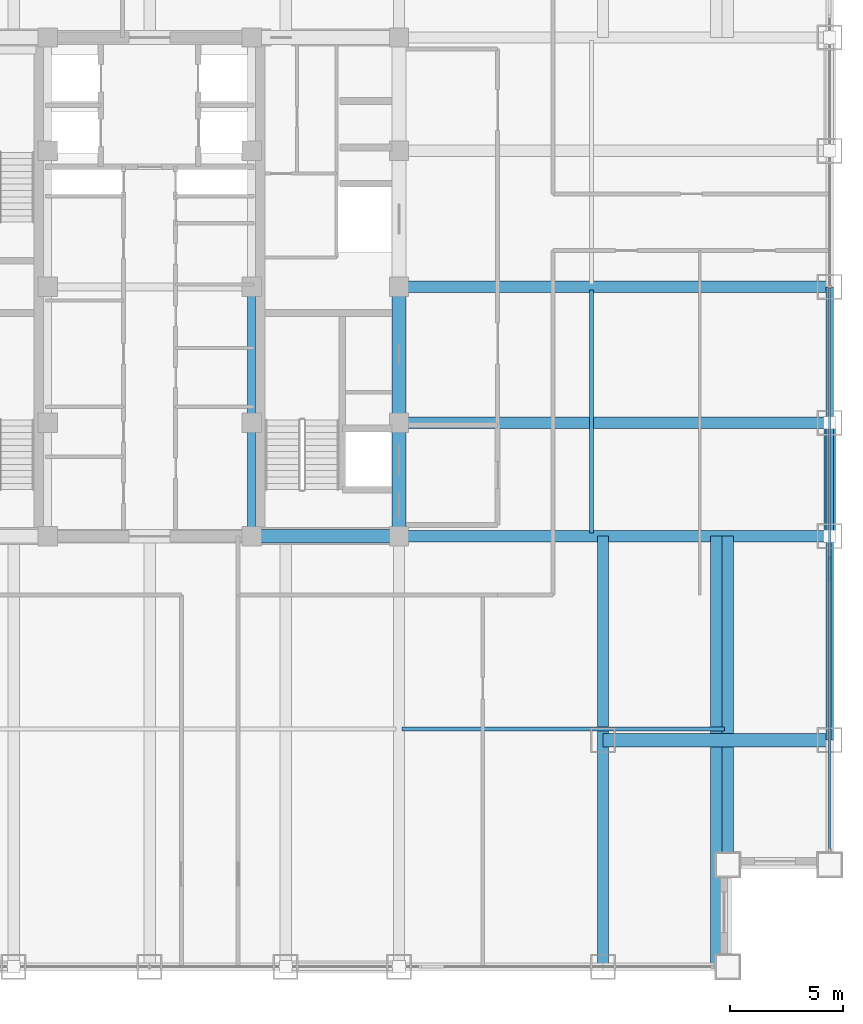
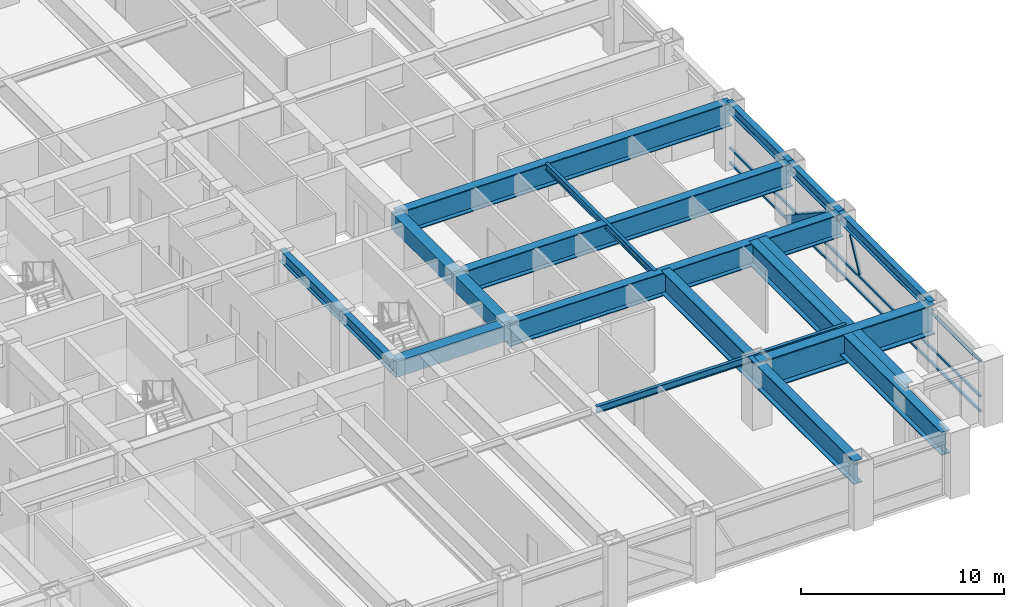
# One storey, part 9 of 26: 17 beams, 5 members, 1 element without a shape of its own.
"""IFC4 building model written with IfcOpenShell, lengths in metres."""

import ifcopenshell
import ifcopenshell.guid

model = None  # the IFC model being written
_history = None  # IfcOwnerHistory: only IFC2X3 demands one
_inside = {}  # id of a spatial element -> (the spatial element, [elements in it])
_under = {}  # id of a project, library or spatial element -> (it, [spatial elements below it])
_declared = {}  # id of a project -> (the project, [libraries it declares])
_typed = {}  # id of a type object -> (the type object, [elements of that type])
_made_of = {}  # id of a material, layer set ... -> (it, [elements and type objects made of it])


def new_model(schema):
    """Start an empty IFC model of exactly this schema.

    Asked for "IFC4X3", IfcOpenShell would pick the latest addendum, in which some entities
    have other attributes; the version numbers below select the first issue.
    IFC2X3 requires an IfcOwnerHistory on every rooted entity: one is made here for all.
    """
    global model, _history
    if schema == "IFC4X3":
        model = ifcopenshell.file(schema_version=(4, 3, 0, 0))
    else:
        model = ifcopenshell.file(schema=schema)
    _inside.clear()
    _under.clear()
    _declared.clear()
    _typed.clear()
    _made_of.clear()
    _history = None
    if model.schema == "IFC2X3":
        org = make("IfcOrganization", Name="unknown")
        user = make(
            "IfcPersonAndOrganization",
            ThePerson=make("IfcPerson", FamilyName="unknown"),
            TheOrganization=org,
        )
        app = make(
            "IfcApplication",
            ApplicationDeveloper=org,
            Version="unknown",
            ApplicationFullName="unknown",
            ApplicationIdentifier="unknown",
        )
        _history = make(
            "IfcOwnerHistory",
            OwningUser=user,
            OwningApplication=app,
            ChangeAction="ADDED",
            CreationDate=0,
        )
    return model


def make(cls, **values):
    """One entity of the class cls with the attributes given. An attribute that is None is left unset."""
    return model.create_entity(
        cls, **{name: value for name, value in values.items() if value is not None}
    )


def rooted(cls, **values):
    """An entity with a GlobalId (a new one), such as an element, a storey or a relation."""
    return make(cls, GlobalId=ifcopenshell.guid.new(), OwnerHistory=_history, **values)


def si_unit(unit_type, name, prefix=None):
    """IfcSIUnit, for example si_unit("LENGTHUNIT", "METRE", prefix="MILLI")."""
    return make("IfcSIUnit", UnitType=unit_type, Prefix=prefix, Name=name)


def assignment(units):
    """IfcUnitAssignment: the units of a project."""
    return None if units is None else make("IfcUnitAssignment", Units=units)


def point(xyz):
    """IfcCartesianPoint."""
    return None if xyz is None else make("IfcCartesianPoint", Coordinates=xyz)


def direction(xyz):
    """IfcDirection."""
    return None if xyz is None else make("IfcDirection", DirectionRatios=xyz)


def frame(location, z_axis=None, x_axis=None):
    """IfcAxis2Placement3D, a coordinate frame: its origin and axes. An axis left out is left unset."""
    return make(
        "IfcAxis2Placement3D",
        Location=point(location),
        Axis=direction(z_axis),
        RefDirection=direction(x_axis),
    )


def frame_2d(location, x_axis=None):
    """IfcAxis2Placement2D, a coordinate frame in the plane: its origin and x axis."""
    return make(
        "IfcAxis2Placement2D", Location=point(location), RefDirection=direction(x_axis)
    )


def origin():
    """The frame at (0, 0, 0) with its axes left unset."""
    return frame((0.0, 0.0, 0.0))


def origin_2d():
    """The frame at (0, 0) in the plane with its x axis left unset."""
    return frame_2d((0.0, 0.0))


def place(relative_to, where):
    """IfcLocalPlacement: puts the frame where relative to a parent placement (None: the world)."""
    return make(
        "IfcLocalPlacement", PlacementRelTo=relative_to, RelativePlacement=where
    )


def context(
    kind, dimensions, precision=None, world=None, true_north=None, identifier=None
):
    """IfcGeometricRepresentationContext, for example the 3D "Model" context."""
    return make(
        "IfcGeometricRepresentationContext",
        ContextIdentifier=identifier,
        ContextType=kind,
        CoordinateSpaceDimension=dimensions,
        Precision=precision,
        WorldCoordinateSystem=world,
        TrueNorth=true_north,
    )


def subcontext(parent, identifier, kind, view, scale=None):
    """IfcGeometricRepresentationSubContext, for example "Body" below "Model"."""
    return make(
        "IfcGeometricRepresentationSubContext",
        ContextIdentifier=identifier,
        ContextType=kind,
        ParentContext=parent,
        TargetScale=scale,
        TargetView=view,
    )


def project(units=None, contexts=None):
    """IfcProject with its units and contexts."""
    return rooted(
        "IfcProject",
        Name="project",
        RepresentationContexts=contexts,
        UnitsInContext=assignment(units),
    )


def spatial(cls, under=None, at=None, **own):
    """A site, building, storey or space (cls), placed at a placement, below another one or the project."""
    s = rooted(cls, ObjectPlacement=at, **own)
    if under is not None:
        _under.setdefault(under.id(), (under, []))[1].append(s)
    return s


def profile(cls, at=None, kind="AREA", **sizes):
    """A parametric profile (cls). Its sizes go by their IFC names, for example OverallWidth=200.0."""
    return make(cls, ProfileType=kind, Position=at, **sizes)


def rectangle(**sizes):
    """IfcRectangleProfileDef."""
    return profile("IfcRectangleProfileDef", **sizes)


def hollow_rectangle(**sizes):
    """IfcRectangleHollowProfileDef."""
    return profile("IfcRectangleHollowProfileDef", **sizes)


def i_section(**sizes):
    """IfcIShapeProfileDef."""
    return profile("IfcIShapeProfileDef", **sizes)


def extrude(swept, where, along, depth):
    """IfcExtrudedAreaSolid: the profile swept, set in the frame where, extruded along a direction by depth."""
    return make(
        "IfcExtrudedAreaSolid",
        SweptArea=swept,
        Position=where,
        ExtrudedDirection=direction(along),
        Depth=depth,
    )


def shape(context_of_items, identifier, shape_type, items):
    """IfcShapeRepresentation: the items that make up one representation, for example the "Body"."""
    return make(
        "IfcShapeRepresentation",
        ContextOfItems=context_of_items,
        RepresentationIdentifier=identifier,
        RepresentationType=shape_type,
        Items=items,
    )


def source(mapping_origin, context_of_items, identifier, shape_type, items):
    """IfcRepresentationMap: a shape defined once, which mapped items show again and again."""
    return make(
        "IfcRepresentationMap",
        MappingOrigin=mapping_origin,
        MappedRepresentation=shape(context_of_items, identifier, shape_type, items),
    )


def transform(
    local_origin,
    x_axis=None,
    y_axis=None,
    z_axis=None,
    scale=None,
    scale2=None,
    scale3=None,
    uniform=True,
):
    """IfcCartesianTransformationOperator3D, or its non-uniform kind. x_axis, y_axis, z_axis: its Axis1, 2, 3."""
    if uniform:
        return make(
            "IfcCartesianTransformationOperator3D",
            Axis1=direction(x_axis),
            Axis2=direction(y_axis),
            LocalOrigin=point(local_origin),
            Scale=scale,
            Axis3=direction(z_axis),
        )
    return make(
        "IfcCartesianTransformationOperator3DnonUniform",
        Axis1=direction(x_axis),
        Axis2=direction(y_axis),
        LocalOrigin=point(local_origin),
        Scale=scale,
        Axis3=direction(z_axis),
        Scale2=scale2,
        Scale3=scale3,
    )


def mapped(mapping_source, mapping_target):
    """IfcMappedItem: shows the shape of a source again, moved by a transform."""
    return make(
        "IfcMappedItem", MappingSource=mapping_source, MappingTarget=mapping_target
    )


def material(Name=None, Category=None):
    """IfcMaterial."""
    return make("IfcMaterial", Name=Name, Category=Category)


def material_profile(
    of_material, cross_section, Name=None, Category=None, Priority=None
):
    """IfcMaterialProfile: a cross section and its material."""
    return make(
        "IfcMaterialProfile",
        Name=Name,
        Material=of_material,
        Profile=cross_section,
        Priority=Priority,
        Category=Category,
    )


def profile_set(profiles, Name=None, composite=None):
    """IfcMaterialProfileSet."""
    return make(
        "IfcMaterialProfileSet",
        Name=Name,
        MaterialProfiles=profiles,
        CompositeProfile=composite,
    )


def made_of(thing, what):
    """Note that an element or type object is made of a material, layer set ...; save() writes the relation."""
    if what is not None:
        _made_of.setdefault(what.id(), (what, []))[1].append(thing)
    return thing


def type_object(cls, material=None, **own):
    """A type object (cls), such as IfcWallType, which elements share."""
    return made_of(rooted(cls, **own), material)


def element(
    cls,
    number,
    at=None,
    inside=None,
    cuts=None,
    type_object=None,
    material=None,
    context=None,
    identifier="Body",
    shape_type=None,
    held_by="IfcProductDefinitionShape",
    body=None,
    shapes=None,
    **own,
):
    """One element of the class cls, such as IfcWall. Its Tag is "e" and its number.

    at: its placement. inside: the storey or other place that contains it. cuts: it is an
    opening in that element (IfcRelVoidsElement). A single representation is given by context,
    identifier, shape_type and body (its items); several are given by shapes. held_by: the class
    of the entity that holds the representations. save() writes the other relations.
    """
    e = rooted(cls, Tag="e%d" % number, ObjectPlacement=at, **own)
    if body is not None:
        shapes = [shape(context, identifier, shape_type, body)]
    if shapes is not None:
        e.Representation = make(held_by, Representations=shapes)
    if inside is not None:
        _inside.setdefault(inside.id(), (inside, []))[1].append(e)
    if cuts is not None:
        rooted(
            "IfcRelVoidsElement", RelatingBuildingElement=cuts, RelatedOpeningElement=e
        )
    if type_object is not None:
        _typed.setdefault(type_object.id(), (type_object, []))[1].append(e)
    return made_of(e, material)


def aggregate(whole, parts):
    """IfcRelAggregates: a whole, such as a stair, and the parts it consists of."""
    return rooted("IfcRelAggregates", RelatingObject=whole, RelatedObjects=parts)


def save(model, path):
    """Write the relations noted so far, then the file.

    IfcRelAggregates (storeys below a building ...), IfcRelContainedInSpatialStructure (elements
    in a storey), IfcRelDefinesByType, IfcRelAssociatesMaterial and IfcRelDeclares: one each for
    every whole, place, type object, material and project.
    """
    for whole, parts in _under.values():
        aggregate(whole, parts)
    for where, things in _inside.values():
        rooted(
            "IfcRelContainedInSpatialStructure",
            RelatedElements=things,
            RelatingStructure=where,
        )
    for kind, things in _typed.values():
        rooted("IfcRelDefinesByType", RelatedObjects=things, RelatingType=kind)
    for what, things in _made_of.values():
        rooted("IfcRelAssociatesMaterial", RelatedObjects=things, RelatingMaterial=what)
    for by, libraries in _declared.values():
        rooted("IfcRelDeclares", RelatingContext=by, RelatedDefinitions=libraries)
    model.write(path)


model = new_model("IFC4")

# Units and contexts
model_context = context("Model", 3, precision=1e-05, world=origin(), true_north=direction((0.0, 1.0)))
body_context = subcontext(model_context, "Body", "Model", "MODEL_VIEW")
ifc_project = project(units=[si_unit("LENGTHUNIT", "METRE"), si_unit("AREAUNIT", "SQUARE_METRE"), si_unit("VOLUMEUNIT", "CUBIC_METRE"), si_unit("PLANEANGLEUNIT", "RADIAN"), si_unit("MASSUNIT", "GRAM", prefix="KILO")], contexts=[model_context])

# Site, building, storey
site_placement = place(None, origin())
site = spatial("IfcSite", under=ifc_project, at=site_placement, CompositionType="ELEMENT")
building_placement = place(site_placement, origin())
building = spatial("IfcBuilding", under=site, at=building_placement, Name="Khorayat Bourse Tower", CompositionType="ELEMENT")
storey_placement = place(building_placement, frame((0.0, 0.0, 207.10009765625)))
storey = spatial("IfcBuildingStorey", under=building, at=storey_placement, Name="L48", CompositionType="ELEMENT", Elevation=207.10009765625)

# Beams
ifc_material_1 = material(Name="Steel ASTM A992 Grade 50", Category="steel")
ifc_material_profile_1 = material_profile(ifc_material_1, i_section(OverallWidth=0.35498046875, OverallDepth=0.695068359375, WebThickness=0.015380859375, FlangeThickness=0.02490234375, FilletRadius=0.01806640625, at=origin_2d()), Name="W690X217")
ifc_profile_set_1 = profile_set([ifc_material_profile_1], Name="Steel ASTM A992 Grade 50")
beam_type_1 = type_object("IfcBeamType", Name="BM-GIRD-690", PredefinedType="BEAM", material=ifc_profile_set_1)
shared_shape_1 = source(origin(), body_context, "Body", "SweptSolid", [
    extrude(i_section(OverallWidth=0.35498046875, OverallDepth=0.695068359375, WebThickness=0.015380859375, FlangeThickness=0.02490234375, FilletRadius=0.01806640625, at=origin_2d()), origin(), (0.0, 0.0, 1.0), 5.0),
])
beam_1_placement = place(storey_placement, frame((4.5, -11.0, 3.432373046875), z_axis=(0.0, 1.0, 0.0), x_axis=(-1.0, 0.0, 0.0)))
element("IfcBeam", 1, at=beam_1_placement, inside=storey, type_object=beam_type_1, Name="L48 BM-GIRD-690 BM-L48-CRX-09", PredefinedType="BEAM", context=body_context, shape_type="MappedRepresentation", body=[
    mapped(shared_shape_1, transform((0.0, 0.0, 0.0), scale=1.0)),
])
shared_shape_2 = source(origin(), body_context, "Body", "SweptSolid", [
    extrude(i_section(OverallWidth=0.35498046875, OverallDepth=0.695068359375, WebThickness=0.015380859375, FlangeThickness=0.02490234375, FilletRadius=0.01806640625, at=origin_2d()), origin(), (0.0, 0.0, 1.0), 6.0),
])
beam_2_placement = place(storey_placement, frame((4.5, -6.0, 3.432373046875), z_axis=(0.0, 1.0, 0.0), x_axis=(-1.0, 0.0, 0.0)))
element("IfcBeam", 2, at=beam_2_placement, inside=storey, type_object=beam_type_1, Name="L48 BM-GIRD-690 BM-L48-CRX-10", PredefinedType="BEAM", context=body_context, shape_type="MappedRepresentation", body=[
    mapped(shared_shape_2, transform((0.0, 0.0, 0.0), scale=1.0)),
])
ifc_material_2 = material(Name="Steel EN 10025-4 S460M", Category="steel")
ifc_material_profile_2 = material_profile(ifc_material_2, i_section(OverallWidth=0.60009765625, OverallDepth=1.800048828125, WebThickness=0.031982421875, FlangeThickness=0.06005859375, at=origin_2d()), Name="PG 1800x600x32x60")
ifc_profile_set_2 = profile_set([ifc_material_profile_2], Name="Steel EN 10025-4 S460M")
beam_type_2 = type_object("IfcBeamType", Name="BM-TR-1800", PredefinedType="BEAM", material=ifc_profile_set_2)
shared_shape_3 = source(origin(), body_context, "Body", "SweptSolid", [
    extrude(i_section(OverallWidth=0.60009765625, OverallDepth=1.800048828125, WebThickness=0.031982421875, FlangeThickness=0.06005859375, at=origin_2d()), origin(), (0.0, 0.0, 1.0), 10.0),
])
beam_3_placement = place(storey_placement, frame((20.0, -20.0, 2.8798828125), z_axis=(1.0, 0.0, 0.0), x_axis=(0.0, 1.0, 0.0)))
element("IfcBeam", 3, at=beam_3_placement, inside=storey, type_object=beam_type_2, Name="L48 BM-TR-1800 BM-L48-CNRX-096", PredefinedType="BEAM", context=body_context, shape_type="MappedRepresentation", body=[
    mapped(shared_shape_3, transform((0.0, 0.0, 0.0), scale=1.0)),
])
ifc_material_profile_3 = material_profile(ifc_material_1, i_section(OverallWidth=0.180908203125, OverallDepth=0.4169921875, WebThickness=0.010986328125, FlangeThickness=0.018310546875, FilletRadius=0.011962890625, at=origin_2d()), Name="W410X85")
ifc_profile_set_3 = profile_set([ifc_material_profile_3], Name="Steel ASTM A992 Grade 50")
beam_type_3 = type_object("IfcBeamType", Name="BM-JOIST-410", PredefinedType="JOIST", material=ifc_profile_set_3)
shared_shape_4 = source(origin(), body_context, "Body", "SweptSolid", [
    extrude(i_section(OverallWidth=0.180908203125, OverallDepth=0.4169921875, WebThickness=0.010986328125, FlangeThickness=0.018310546875, FilletRadius=0.011962890625, at=origin_2d()), origin(), (0.0, 0.0, 1.0), 14.240234375),
])
beam_4_placement = place(storey_placement, frame((11.1298828125, -19.5, 3.5712890625), z_axis=(1.0, 0.0, 0.0), x_axis=(0.0, 1.0, 0.0)))
element("IfcBeam", 4, at=beam_4_placement, inside=storey, type_object=beam_type_3, Name="L48 BM-JOIST-410 BM-L48-JSTX-106", PredefinedType="JOIST", context=body_context, shape_type="MappedRepresentation", body=[
    mapped(shared_shape_4, transform((0.0, 0.0, 0.0), scale=1.0)),
])
shared_shape_5 = source(origin(), body_context, "Body", "SweptSolid", [
    extrude(i_section(OverallWidth=0.180908203125, OverallDepth=0.4169921875, WebThickness=0.010986328125, FlangeThickness=0.018310546875, FilletRadius=0.011962890625, at=origin_2d()), origin(), (0.0, 0.0, 1.0), 10.740234375),
])
beam_5_placement = place(storey_placement, frame((19.5, -10.8701171875, 3.5712890625), z_axis=(0.0, 1.0, 0.0), x_axis=(-1.0, 0.0, 0.0)))
element("IfcBeam", 5, at=beam_5_placement, inside=storey, type_object=beam_type_3, Name="L48 BM-JOIST-410 BM-L48-JSTY-112", PredefinedType="JOIST", context=body_context, shape_type="MappedRepresentation", body=[
    mapped(shared_shape_5, transform((0.0, 0.0, 0.0), scale=1.0)),
])
ifc_material_profile_4 = material_profile(ifc_material_1, i_section(OverallWidth=0.324951171875, OverallDepth=0.615966796875, WebThickness=0.013916015625, FlangeThickness=0.021484375, FilletRadius=0.01611328125, at=origin_2d()), Name="W610X174")
ifc_profile_set_4 = profile_set([ifc_material_profile_4], Name="Steel ASTM A992 Grade 50")
beam_type_4 = type_object("IfcBeamType", Name="BM-SPAN-610", PredefinedType="SPANDREL", material=ifc_profile_set_4)
shared_shape_6 = source(origin(), body_context, "Body", "SweptSolid", [
    extrude(i_section(OverallWidth=0.324951171875, OverallDepth=0.615966796875, WebThickness=0.013916015625, FlangeThickness=0.021484375, FilletRadius=0.01611328125, at=origin_2d()), origin(), (0.0, 0.0, 1.0), 9.0),
])
beam_6_placement = place(storey_placement, frame((30.0, -20.0, 3.471923828125), z_axis=(0.0, 1.0, 0.0), x_axis=(-1.0, 0.0, 0.0)))
element("IfcBeam", 6, at=beam_6_placement, inside=storey, type_object=beam_type_4, Name="L48 BM-SPAN-610 BM-L48-SPN-035", PredefinedType="SPANDREL", context=body_context, shape_type="MappedRepresentation", body=[
    mapped(shared_shape_6, transform((0.0, 0.0, 0.0), scale=1.0)),
])
shared_shape_7 = source(origin(), body_context, "Body", "SweptSolid", [
    extrude(i_section(OverallWidth=0.324951171875, OverallDepth=0.615966796875, WebThickness=0.013916015625, FlangeThickness=0.021484375, FilletRadius=0.01611328125, at=origin_2d()), origin(), (0.0, 0.0, 1.0), 5.0),
])
beam_7_placement = place(storey_placement, frame((30.0, -11.0, 3.471923828125), z_axis=(0.0, 1.0, 0.0), x_axis=(-1.0, 0.0, 0.0)))
element("IfcBeam", 7, at=beam_7_placement, inside=storey, type_object=beam_type_4, Name="L48 BM-SPAN-610 BM-L48-SPN-036", PredefinedType="SPANDREL", context=body_context, shape_type="MappedRepresentation", body=[
    mapped(shared_shape_7, transform((0.0, 0.0, 0.0), scale=1.0)),
])
shared_shape_8 = source(origin(), body_context, "Body", "SweptSolid", [
    extrude(i_section(OverallWidth=0.324951171875, OverallDepth=0.615966796875, WebThickness=0.013916015625, FlangeThickness=0.021484375, FilletRadius=0.01611328125, at=origin_2d()), origin(), (0.0, 0.0, 1.0), 6.0),
])
beam_8_placement = place(storey_placement, frame((30.0, -6.0, 3.471923828125), z_axis=(0.0, 1.0, 0.0), x_axis=(-1.0, 0.0, 0.0)))
element("IfcBeam", 8, at=beam_8_placement, inside=storey, type_object=beam_type_4, Name="L48 BM-SPAN-610 BM-L48-SPN-037", PredefinedType="SPANDREL", context=body_context, shape_type="MappedRepresentation", body=[
    mapped(shared_shape_8, transform((0.0, 0.0, 0.0), scale=1.0)),
])

# Member
ifc_material_profile_5 = material_profile(ifc_material_2, hollow_rectangle(XDim=0.5, YDim=0.5, WallThickness=0.028076171875, at=origin_2d()), Name="HSS 500x500x28")
ifc_profile_set_5 = profile_set([ifc_material_profile_5], Name="Steel EN 10025-4 S460M")
member_type_1 = type_object("IfcMemberType", Name="MBR-TUBE-500", PredefinedType="BRACE", material=ifc_profile_set_5)
shared_shape_9 = source(origin(), body_context, "Body", "SweptSolid", [
    extrude(hollow_rectangle(XDim=0.5, YDim=0.5, WallThickness=0.028076171875, at=origin_2d()), origin(), (0.0, 0.0, 1.0), 5.979736328125),
])
member_1_placement = place(storey_placement, frame((30.0, -11.0, 3.52978515625), z_axis=(0.0, 0.836160261256, -0.548485202623), x_axis=(-1.0, 0.0, 0.0)))
element("IfcMember", 9, at=member_1_placement, inside=storey, type_object=member_type_1, Name="L48 Perimeter Tube Brace 07", PredefinedType="BRACE", context=body_context, shape_type="MappedRepresentation", body=[
    mapped(shared_shape_9, transform((0.0, 0.0, 0.0), scale=1.0)),
])

# Beams
ifc_material_3 = material(Name="Concrete C60/75", Category="concrete")
ifc_material_profile_6 = material_profile(ifc_material_3, rectangle(XDim=0.60009765625, YDim=0.949951171875, at=origin_2d()), Name="RC 600x950")
ifc_profile_set_6 = profile_set([ifc_material_profile_6], Name="Concrete C60/75")
beam_type_5 = type_object("IfcBeamType", Name="BM-COUP-950", PredefinedType="BEAM", material=ifc_profile_set_6)
shared_shape_10 = source(origin(), body_context, "Body", "SweptSolid", [
    extrude(rectangle(XDim=0.60009765625, YDim=0.949951171875, at=origin_2d()), origin(), (0.0, 0.0, 1.0), 5.0),
])
beam_9_placement = place(storey_placement, frame((11.0, -11.0, 3.304931640625), z_axis=(0.0, 1.0, 0.0), x_axis=(-1.0, 0.0, 0.0)))
element("IfcBeam", 10, at=beam_9_placement, inside=storey, type_object=beam_type_5, Name="L48 BM-COUP-950 BM-L48-CRX-13", PredefinedType="BEAM", context=body_context, shape_type="MappedRepresentation", body=[
    mapped(shared_shape_10, transform((0.0, 0.0, 0.0), scale=1.0)),
])
shared_shape_11 = source(origin(), body_context, "Body", "SweptSolid", [
    extrude(rectangle(XDim=0.60009765625, YDim=0.949951171875, at=origin_2d()), origin(), (0.0, 0.0, 1.0), 6.0),
])
beam_10_placement = place(storey_placement, frame((11.0, -6.0, 3.304931640625), z_axis=(0.0, 1.0, 0.0), x_axis=(-1.0, 0.0, 0.0)))
element("IfcBeam", 11, at=beam_10_placement, inside=storey, type_object=beam_type_5, Name="L48 BM-COUP-950 BM-L48-CRX-14", PredefinedType="BEAM", context=body_context, shape_type="MappedRepresentation", body=[
    mapped(shared_shape_11, transform((0.0, 0.0, 0.0), scale=1.0)),
])
shared_shape_12 = source(origin(), body_context, "Body", "SweptSolid", [
    extrude(rectangle(XDim=0.60009765625, YDim=0.949951171875, at=origin_2d()), origin(), (0.0, 0.0, 1.0), 6.5),
])
beam_11_placement = place(storey_placement, frame((4.5, -11.0, 3.304931640625), z_axis=(1.0, 0.0, 0.0), x_axis=(0.0, 1.0, 0.0)))
element("IfcBeam", 12, at=beam_11_placement, inside=storey, type_object=beam_type_5, Name="L48 BM-COUP-950 BM-L48-CRY-19", PredefinedType="BEAM", context=body_context, shape_type="MappedRepresentation", body=[
    mapped(shared_shape_12, transform((0.0, 0.0, 0.0), scale=1.0)),
])
ifc_material_profile_7 = material_profile(ifc_material_2, i_section(OverallWidth=0.5, OverallDepth=1.39990234375, WebThickness=0.02490234375, FlangeThickness=0.050048828125, at=origin_2d()), Name="PG 1400x500x25x50")
ifc_profile_set_7 = profile_set([ifc_material_profile_7], Name="Steel EN 10025-4 S460M")
beam_type_6 = type_object("IfcBeamType", Name="BM-TR-1400", PredefinedType="BEAM", material=ifc_profile_set_7)
shared_shape_13 = source(origin(), body_context, "Body", "SweptSolid", [
    extrude(i_section(OverallWidth=0.5, OverallDepth=1.39990234375, WebThickness=0.02490234375, FlangeThickness=0.050048828125, at=origin_2d()), origin(), (0.0, 0.0, 1.0), 19.0),
])
for number, where, z_axis, x_axis, name in (
    (13, (11.0, -11.0, 3.079833984375), (1.0, 0.0, 0.0), (0.0, 1.0, 0.0), "L48 BM-TR-1400 BM-L48-RADX-074"),
    (14, (11.0, -6.0, 3.079833984375), (1.0, 0.0, 0.0), (0.0, 1.0, 0.0), "L48 BM-TR-1400 BM-L48-RADX-076"),
    (15, (11.0, 0.0, 3.079833984375), (1.0, 0.0, 0.0), (0.0, 1.0, 0.0), "L48 BM-TR-1400 BM-L48-RADX-078"),
    (16, (20.0, -30.0, 3.079833984375), (0.0, 1.0, 0.0), (-1.0, 0.0, 0.0), "L48 BM-TR-1400 BM-L48-CNRY-086"),
    (17, (25.0, -30.0, 3.079833984375), (0.0, 1.0, 0.0), (-1.0, 0.0, 0.0), "L48 BM-TR-1400 BM-L48-CNRY-090"),
):
    element("IfcBeam", number, at=place(storey_placement, frame(where, z_axis=z_axis, x_axis=x_axis)), inside=storey, type_object=beam_type_6, Name=name, PredefinedType="BEAM", context=body_context, shape_type="MappedRepresentation", body=[
        mapped(shared_shape_13, transform((0.0, 0.0, 0.0), scale=1.0)),
    ])
shared_shape_14 = source(origin(), body_context, "Body", "SweptSolid", [
    extrude(i_section(OverallWidth=0.5, OverallDepth=1.39990234375, WebThickness=0.02490234375, FlangeThickness=0.050048828125, at=origin_2d()), origin(), (0.0, 0.0, 1.0), 14.5),
])
beam_12_placement = place(storey_placement, frame((25.5, -25.5, 3.079833984375), z_axis=(0.0, 1.0, 0.0), x_axis=(-1.0, 0.0, 0.0)))
element("IfcBeam", 18, at=beam_12_placement, inside=storey, type_object=beam_type_6, Name="L48 BM-TR-1400 BM-L48-CNRY-094", PredefinedType="BEAM", context=body_context, shape_type="MappedRepresentation", body=[
    mapped(shared_shape_14, transform((0.0, 0.0, 0.0), scale=1.0)),
])

# Curtain wall, members
ifc_material_4 = material(Name="Aluminium EN AW-6063 T6", Category="aluminium")
curtain_wall_type = type_object("IfcCurtainWallType", Name="CW-SYS-03", PredefinedType="NOTDEFINED", material=ifc_material_4)
curtain_wall_placement = place(storey_placement, origin())
curtain_wall = element("IfcCurtainWall", 19, at=curtain_wall_placement, inside=storey, type_object=curtain_wall_type, Name="L48 Curtain Wall CW-L48-E1", PredefinedType="NOTDEFINED")
ifc_material_profile_8 = material_profile(ifc_material_4, hollow_rectangle(XDim=0.1201171875, YDim=0.1201171875, WallThickness=0.0048828125, at=origin_2d()), Name="ALU 120x120x5")
ifc_profile_set_8 = profile_set([ifc_material_profile_8], Name="Aluminium EN AW-6063 T6")
member_type_2 = type_object("IfcMemberType", Name="CWM-DIAG-120", PredefinedType="MULLION", material=ifc_profile_set_8)
shared_shape_15 = source(origin(), body_context, "Body", "SweptSolid", [
    extrude(hollow_rectangle(XDim=0.1201171875, YDim=0.1201171875, WallThickness=0.0048828125, at=origin_2d()), origin(), (0.0, 0.0, 1.0), 2.079345703125),
])
member_2_placement = place(storey_placement, frame((30.0, -12.904296875, 1.08984375), z_axis=(0.0, 0.465760949701, 0.884910581773), x_axis=(-1.0, 0.0, 0.0)))
member_2 = element("IfcMember", 20, at=member_2_placement, type_object=member_type_2, Name="CW-L48-E1 Faceted Diagonal Mullion 1", PredefinedType="MULLION", context=body_context, shape_type="MappedRepresentation", body=[
    mapped(shared_shape_15, transform((0.0, 0.0, 0.0), scale=1.0)),
])
ifc_material_profile_9 = material_profile(ifc_material_4, hollow_rectangle(XDim=0.1201171875, YDim=0.1201171875, WallThickness=0.0048828125, at=origin_2d()), Name="ALU 120x120x5")
ifc_profile_set_9 = profile_set([ifc_material_profile_9], Name="Aluminium EN AW-6063 T6")
member_type_3 = type_object("IfcMemberType", Name="CWT-HORZ-120", PredefinedType="USERDEFINED", material=ifc_profile_set_9)
shared_shape_16 = source(origin(), body_context, "Body", "SweptSolid", [
    extrude(hollow_rectangle(XDim=0.1201171875, YDim=0.1201171875, WallThickness=0.0048828125, at=origin_2d()), origin(), (0.0, 0.0, 1.0), 24.719970703125),
])
member_3_placement = place(storey_placement, frame((30.0, -24.780029296875, 0.059814453125), z_axis=(0.0, 1.0, 0.0), x_axis=(-1.0, 0.0, 0.0)))
member_3 = element("IfcMember", 21, at=member_3_placement, type_object=member_type_3, Name="CW-L48-E1 Horizontal Transom 1-1", ObjectType="TRANSOM", PredefinedType="USERDEFINED", context=body_context, shape_type="MappedRepresentation", body=[
    mapped(shared_shape_16, transform((0.0, 0.0, 0.0), scale=1.0)),
])
member_4_placement = place(storey_placement, frame((30.0, -24.780029296875, 0.949951171875), z_axis=(0.0, 1.0, 0.0), x_axis=(-1.0, 0.0, 0.0)))
member_4 = element("IfcMember", 22, at=member_4_placement, type_object=member_type_3, Name="CW-L48-E1 Horizontal Transom 1-2", ObjectType="TRANSOM", PredefinedType="USERDEFINED", context=body_context, shape_type="MappedRepresentation", body=[
    mapped(shared_shape_16, transform((0.0, 0.0, 0.0), scale=1.0)),
])
member_5_placement = place(storey_placement, frame((30.0, -24.780029296875, 3.06982421875), z_axis=(0.0, 1.0, 0.0), x_axis=(-1.0, 0.0, 0.0)))
member_5 = element("IfcMember", 23, at=member_5_placement, type_object=member_type_3, Name="CW-L48-E1 Horizontal Transom 1-3", ObjectType="TRANSOM", PredefinedType="USERDEFINED", context=body_context, shape_type="MappedRepresentation", body=[
    mapped(shared_shape_16, transform((0.0, 0.0, 0.0), scale=1.0)),
])
aggregate(curtain_wall, [member_3, member_4, member_5, member_2])

save(model, "model.ifc")
